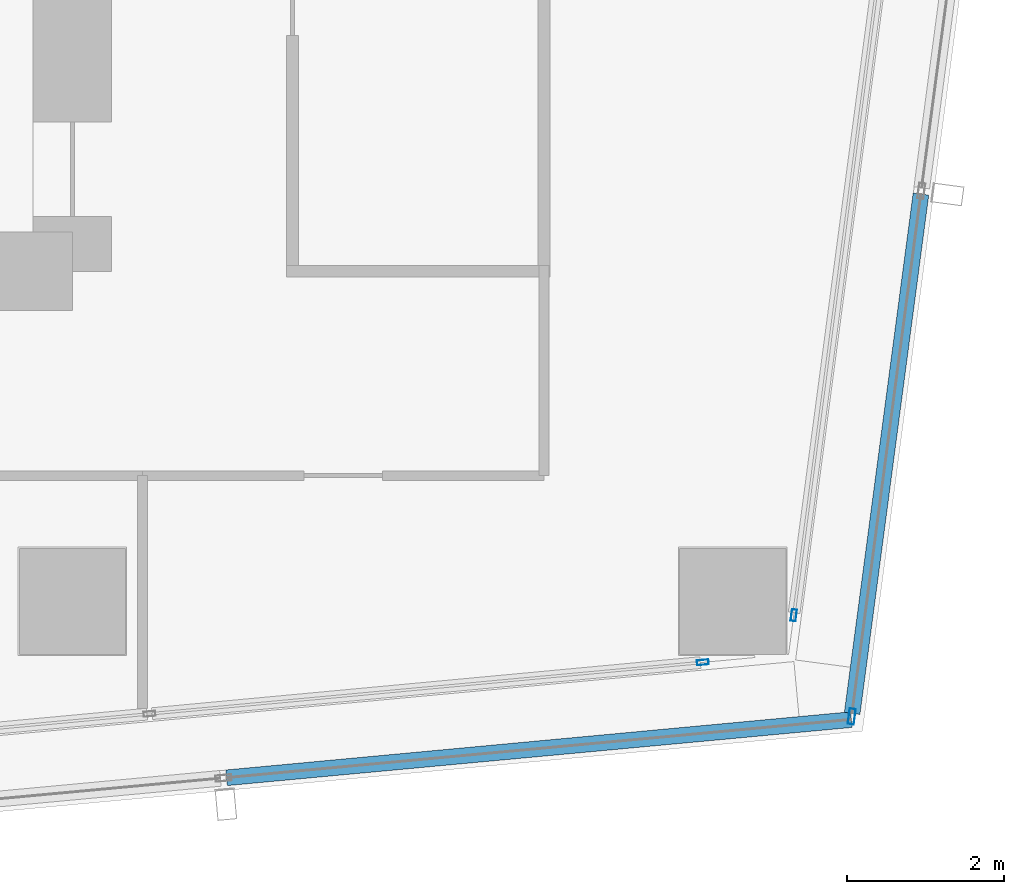
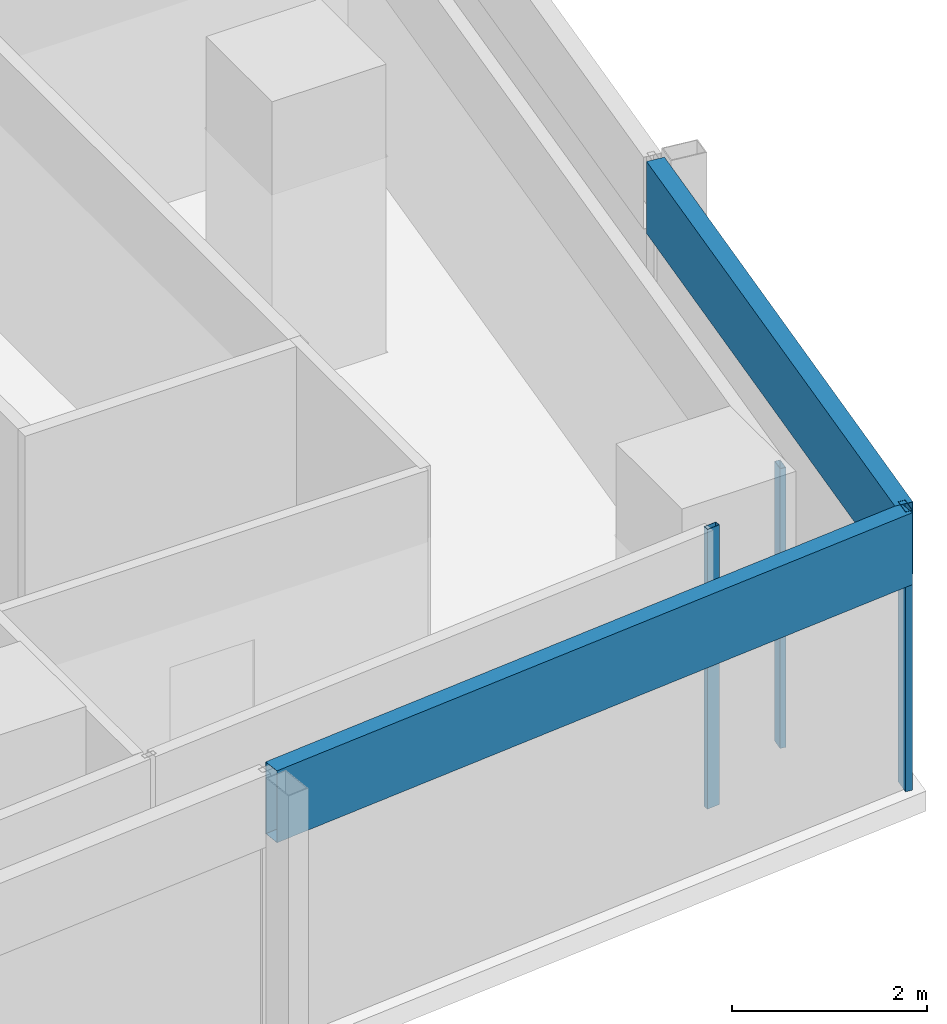
# One storey, part 12 of 38: 5 members, 4 elements without a shape of their own.
"""IFC4 building model written with IfcOpenShell, lengths in metres."""

import ifcopenshell
import ifcopenshell.guid

model = None  # the IFC model being written
_history = None  # IfcOwnerHistory: only IFC2X3 demands one
_inside = {}  # id of a spatial element -> (the spatial element, [elements in it])
_under = {}  # id of a project, library or spatial element -> (it, [spatial elements below it])
_declared = {}  # id of a project -> (the project, [libraries it declares])
_typed = {}  # id of a type object -> (the type object, [elements of that type])
_made_of = {}  # id of a material, layer set ... -> (it, [elements and type objects made of it])


def new_model(schema):
    """Start an empty IFC model of exactly this schema.

    Asked for "IFC4X3", IfcOpenShell would pick the latest addendum, in which some entities
    have other attributes; the version numbers below select the first issue.
    IFC2X3 requires an IfcOwnerHistory on every rooted entity: one is made here for all.
    """
    global model, _history
    if schema == "IFC4X3":
        model = ifcopenshell.file(schema_version=(4, 3, 0, 0))
    else:
        model = ifcopenshell.file(schema=schema)
    _inside.clear()
    _under.clear()
    _declared.clear()
    _typed.clear()
    _made_of.clear()
    _history = None
    if model.schema == "IFC2X3":
        org = make("IfcOrganization", Name="unknown")
        user = make(
            "IfcPersonAndOrganization",
            ThePerson=make("IfcPerson", FamilyName="unknown"),
            TheOrganization=org,
        )
        app = make(
            "IfcApplication",
            ApplicationDeveloper=org,
            Version="unknown",
            ApplicationFullName="unknown",
            ApplicationIdentifier="unknown",
        )
        _history = make(
            "IfcOwnerHistory",
            OwningUser=user,
            OwningApplication=app,
            ChangeAction="ADDED",
            CreationDate=0,
        )
    return model


def make(cls, **values):
    """One entity of the class cls with the attributes given. An attribute that is None is left unset."""
    return model.create_entity(
        cls, **{name: value for name, value in values.items() if value is not None}
    )


def rooted(cls, **values):
    """An entity with a GlobalId (a new one), such as an element, a storey or a relation."""
    return make(cls, GlobalId=ifcopenshell.guid.new(), OwnerHistory=_history, **values)


def si_unit(unit_type, name, prefix=None):
    """IfcSIUnit, for example si_unit("LENGTHUNIT", "METRE", prefix="MILLI")."""
    return make("IfcSIUnit", UnitType=unit_type, Prefix=prefix, Name=name)


def assignment(units):
    """IfcUnitAssignment: the units of a project."""
    return None if units is None else make("IfcUnitAssignment", Units=units)


def point(xyz):
    """IfcCartesianPoint."""
    return None if xyz is None else make("IfcCartesianPoint", Coordinates=xyz)


def direction(xyz):
    """IfcDirection."""
    return None if xyz is None else make("IfcDirection", DirectionRatios=xyz)


def frame(location, z_axis=None, x_axis=None):
    """IfcAxis2Placement3D, a coordinate frame: its origin and axes. An axis left out is left unset."""
    return make(
        "IfcAxis2Placement3D",
        Location=point(location),
        Axis=direction(z_axis),
        RefDirection=direction(x_axis),
    )


def frame_2d(location, x_axis=None):
    """IfcAxis2Placement2D, a coordinate frame in the plane: its origin and x axis."""
    return make(
        "IfcAxis2Placement2D", Location=point(location), RefDirection=direction(x_axis)
    )


def origin():
    """The frame at (0, 0, 0) with its axes left unset."""
    return frame((0.0, 0.0, 0.0))


def origin_2d():
    """The frame at (0, 0) in the plane with its x axis left unset."""
    return frame_2d((0.0, 0.0))


def place(relative_to, where):
    """IfcLocalPlacement: puts the frame where relative to a parent placement (None: the world)."""
    return make(
        "IfcLocalPlacement", PlacementRelTo=relative_to, RelativePlacement=where
    )


def context(
    kind, dimensions, precision=None, world=None, true_north=None, identifier=None
):
    """IfcGeometricRepresentationContext, for example the 3D "Model" context."""
    return make(
        "IfcGeometricRepresentationContext",
        ContextIdentifier=identifier,
        ContextType=kind,
        CoordinateSpaceDimension=dimensions,
        Precision=precision,
        WorldCoordinateSystem=world,
        TrueNorth=true_north,
    )


def subcontext(parent, identifier, kind, view, scale=None):
    """IfcGeometricRepresentationSubContext, for example "Body" below "Model"."""
    return make(
        "IfcGeometricRepresentationSubContext",
        ContextIdentifier=identifier,
        ContextType=kind,
        ParentContext=parent,
        TargetScale=scale,
        TargetView=view,
    )


def project(units=None, contexts=None):
    """IfcProject with its units and contexts."""
    return rooted(
        "IfcProject",
        Name="project",
        RepresentationContexts=contexts,
        UnitsInContext=assignment(units),
    )


def spatial(cls, under=None, at=None, **own):
    """A site, building, storey or space (cls), placed at a placement, below another one or the project."""
    s = rooted(cls, ObjectPlacement=at, **own)
    if under is not None:
        _under.setdefault(under.id(), (under, []))[1].append(s)
    return s


def profile(cls, at=None, kind="AREA", **sizes):
    """A parametric profile (cls). Its sizes go by their IFC names, for example OverallWidth=200.0."""
    return make(cls, ProfileType=kind, Position=at, **sizes)


def hollow_rectangle(**sizes):
    """IfcRectangleHollowProfileDef."""
    return profile("IfcRectangleHollowProfileDef", **sizes)


def extrude(swept, where, along, depth):
    """IfcExtrudedAreaSolid: the profile swept, set in the frame where, extruded along a direction by depth."""
    return make(
        "IfcExtrudedAreaSolid",
        SweptArea=swept,
        Position=where,
        ExtrudedDirection=direction(along),
        Depth=depth,
    )


def shape(context_of_items, identifier, shape_type, items):
    """IfcShapeRepresentation: the items that make up one representation, for example the "Body"."""
    return make(
        "IfcShapeRepresentation",
        ContextOfItems=context_of_items,
        RepresentationIdentifier=identifier,
        RepresentationType=shape_type,
        Items=items,
    )


def material(Name=None, Category=None):
    """IfcMaterial."""
    return make("IfcMaterial", Name=Name, Category=Category)


def material_profile(
    of_material, cross_section, Name=None, Category=None, Priority=None
):
    """IfcMaterialProfile: a cross section and its material."""
    return make(
        "IfcMaterialProfile",
        Name=Name,
        Material=of_material,
        Profile=cross_section,
        Priority=Priority,
        Category=Category,
    )


def profile_set(profiles, Name=None, composite=None):
    """IfcMaterialProfileSet."""
    return make(
        "IfcMaterialProfileSet",
        Name=Name,
        MaterialProfiles=profiles,
        CompositeProfile=composite,
    )


def made_of(thing, what):
    """Note that an element or type object is made of a material, layer set ...; save() writes the relation."""
    if what is not None:
        _made_of.setdefault(what.id(), (what, []))[1].append(thing)
    return thing


def type_object(cls, material=None, **own):
    """A type object (cls), such as IfcWallType, which elements share."""
    return made_of(rooted(cls, **own), material)


def element(
    cls,
    number,
    at=None,
    inside=None,
    cuts=None,
    type_object=None,
    material=None,
    context=None,
    identifier="Body",
    shape_type=None,
    held_by="IfcProductDefinitionShape",
    body=None,
    shapes=None,
    **own,
):
    """One element of the class cls, such as IfcWall. Its Tag is "e" and its number.

    at: its placement. inside: the storey or other place that contains it. cuts: it is an
    opening in that element (IfcRelVoidsElement). A single representation is given by context,
    identifier, shape_type and body (its items); several are given by shapes. held_by: the class
    of the entity that holds the representations. save() writes the other relations.
    """
    e = rooted(cls, Tag="e%d" % number, ObjectPlacement=at, **own)
    if body is not None:
        shapes = [shape(context, identifier, shape_type, body)]
    if shapes is not None:
        e.Representation = make(held_by, Representations=shapes)
    if inside is not None:
        _inside.setdefault(inside.id(), (inside, []))[1].append(e)
    if cuts is not None:
        rooted(
            "IfcRelVoidsElement", RelatingBuildingElement=cuts, RelatedOpeningElement=e
        )
    if type_object is not None:
        _typed.setdefault(type_object.id(), (type_object, []))[1].append(e)
    return made_of(e, material)


def aggregate(whole, parts):
    """IfcRelAggregates: a whole, such as a stair, and the parts it consists of."""
    return rooted("IfcRelAggregates", RelatingObject=whole, RelatedObjects=parts)


def save(model, path):
    """Write the relations noted so far, then the file.

    IfcRelAggregates (storeys below a building ...), IfcRelContainedInSpatialStructure (elements
    in a storey), IfcRelDefinesByType, IfcRelAssociatesMaterial and IfcRelDeclares: one each for
    every whole, place, type object, material and project.
    """
    for whole, parts in _under.values():
        aggregate(whole, parts)
    for where, things in _inside.values():
        rooted(
            "IfcRelContainedInSpatialStructure",
            RelatedElements=things,
            RelatingStructure=where,
        )
    for kind, things in _typed.values():
        rooted("IfcRelDefinesByType", RelatedObjects=things, RelatingType=kind)
    for what, things in _made_of.values():
        rooted("IfcRelAssociatesMaterial", RelatedObjects=things, RelatingMaterial=what)
    for by, libraries in _declared.values():
        rooted("IfcRelDeclares", RelatingContext=by, RelatedDefinitions=libraries)
    model.write(path)


model = new_model("IFC4")

# Units and contexts
model_context = context("Model", 3, precision=1e-05, world=origin(), true_north=direction((0.0, 1.0)))
body_context = subcontext(model_context, "Body", "Model", "MODEL_VIEW")
ifc_project = project(units=[si_unit("LENGTHUNIT", "METRE"), si_unit("AREAUNIT", "SQUARE_METRE"), si_unit("VOLUMEUNIT", "CUBIC_METRE"), si_unit("PLANEANGLEUNIT", "RADIAN"), si_unit("MASSUNIT", "GRAM", prefix="KILO")], contexts=[model_context])

# Site, building, storey
site_placement = place(None, origin())
site = spatial("IfcSite", under=ifc_project, at=site_placement, CompositionType="ELEMENT")
building_placement = place(site_placement, origin())
building = spatial("IfcBuilding", under=site, at=building_placement, Name="Rekha Terrace Tower", CompositionType="ELEMENT")
storey_placement = place(building_placement, frame((0.0, 0.0, 195.199951171875)))
storey = spatial("IfcBuildingStorey", under=building, at=storey_placement, Name="L49", CompositionType="ELEMENT", Elevation=195.199951171875)

# Curtain wall, member
ifc_material_1 = material(Name="Aluminium framing", Category="aluminium")
curtain_wall_type_1 = type_object("IfcCurtainWallType", Name="CW1 double skin inner glazing", PredefinedType="USERDEFINED", material=ifc_material_1)
curtain_wall_1_placement = place(storey_placement, origin())
curtain_wall_1 = element("IfcCurtainWall", 1, at=curtain_wall_1_placement, inside=storey, type_object=curtain_wall_type_1, Name="CW1 double skin inner glazing", ObjectType="DOUBLE SKIN INNER GLAZING", PredefinedType="USERDEFINED")
ifc_material_2 = material(Name="Aluminium mullion section", Category="aluminium")
ifc_material_profile_1 = material_profile(ifc_material_2, hollow_rectangle(XDim=0.06494140625, YDim=0.14990234375, WallThickness=0.00390625, at=origin_2d()), Name="AL RHS 65x150")
ifc_profile_set_1 = profile_set([ifc_material_profile_1], Name="Aluminium mullion section")
member_type_1 = type_object("IfcMemberType", Name="CW1 mullion RHS 65 x 150", PredefinedType="MULLION", material=ifc_profile_set_1)
member_1_placement = place(storey_placement, frame((58.419677734375, 16.025634765625, 0.0), z_axis=(0.0, 0.0, 1.0), x_axis=(-0.092708869564, 0.995693258742, 0.0)))
member_1 = element("IfcMember", 2, at=member_1_placement, type_object=member_type_1, Name="CW1 mullion 3", PredefinedType="MULLION", context=body_context, shape_type="SweptSolid", body=[
    extrude(hollow_rectangle(XDim=0.06494140625, YDim=0.14990234375, WallThickness=0.00390625, at=origin_2d()), origin(), (0.0, 0.0, 1.0), 3.5),
])
aggregate(curtain_wall_1, [member_1])

curtain_wall_2_placement = place(storey_placement, origin())
curtain_wall_2 = element("IfcCurtainWall", 3, at=curtain_wall_2_placement, inside=storey, type_object=curtain_wall_type_1, Name="CW1 double skin inner glazing", ObjectType="DOUBLE SKIN INNER GLAZING", PredefinedType="USERDEFINED")
member_2_placement = place(storey_placement, frame((59.576171875, 16.624755859375, 0.0), z_axis=(0.0, 0.0, 1.0), x_axis=(-0.991342203185, 0.131303603093, 0.0)))
member_2 = element("IfcMember", 4, at=member_2_placement, type_object=member_type_1, Name="CW1 mullion 1", PredefinedType="MULLION", context=body_context, shape_type="SweptSolid", body=[
    extrude(hollow_rectangle(XDim=0.06494140625, YDim=0.14990234375, WallThickness=0.00390625, at=origin_2d()), origin(), (0.0, 0.0, 1.0), 3.5),
])
aggregate(curtain_wall_2, [member_2])

curtain_wall_type_2 = type_object("IfcCurtainWallType", Name="CW2 double skin outer glazing", PredefinedType="USERDEFINED", material=ifc_material_1)
curtain_wall_3_placement = place(storey_placement, origin())
curtain_wall_3 = element("IfcCurtainWall", 5, at=curtain_wall_3_placement, inside=storey, type_object=curtain_wall_type_2, Name="CW2 double skin outer glazing", ObjectType="DOUBLE SKIN OUTER GLAZING", PredefinedType="USERDEFINED")
ifc_material_profile_2 = material_profile(ifc_material_2, hollow_rectangle(XDim=0.080078125, YDim=0.199951171875, WallThickness=0.00390625, at=origin_2d()), Name="AL RHS 80x200")
ifc_profile_set_2 = profile_set([ifc_material_profile_2], Name="Aluminium mullion section")
member_type_2 = type_object("IfcMemberType", Name="CW2 mullion RHS 80 x 200", PredefinedType="MULLION", material=ifc_profile_set_2)
member_3_placement = place(storey_placement, frame((60.3134765625, 15.337158203125, 0.0), z_axis=(0.0, 0.0, 1.0), x_axis=(-0.991342203187, 0.131303603075, 0.0)))
member_3 = element("IfcMember", 6, at=member_3_placement, type_object=member_type_2, Name="CW2 mullion 1", PredefinedType="MULLION", context=body_context, shape_type="SweptSolid", body=[
    extrude(hollow_rectangle(XDim=0.080078125, YDim=0.199951171875, WallThickness=0.00390625, at=origin_2d()), origin(), (0.0, 0.0, 1.0), 3.5),
])

curtain_wall_4_placement = place(storey_placement, origin())
curtain_wall_4 = element("IfcCurtainWall", 7, at=curtain_wall_4_placement, inside=storey, type_object=curtain_wall_type_2, Name="CW2 double skin outer glazing", ObjectType="DOUBLE SKIN OUTER GLAZING", PredefinedType="USERDEFINED")
ifc_material_3 = material(Name="Insulated aluminium spandrel box", Category="aluminium")
ifc_material_profile_3 = material_profile(ifc_material_3, hollow_rectangle(XDim=0.199951171875, YDim=0.89990234375, WallThickness=0.0029296875, at=origin_2d()), Name="AL SPANDREL BOX 200x900")
ifc_profile_set_3 = profile_set([ifc_material_profile_3], Name="Insulated aluminium spandrel box")
member_type_3 = type_object("IfcMemberType", Name="CW2 spandrel transom 200 x 900", PredefinedType="USERDEFINED", material=ifc_profile_set_3)
member_4_placement = place(storey_placement, frame((52.36181640625, 14.5576171875, 3.050048828125), z_axis=(0.99569478362, 0.092692490917, 0.0), x_axis=(-0.092692490917, 0.99569478362, 0.0)))
member_4 = element("IfcMember", 8, at=member_4_placement, type_object=member_type_3, Name="CW2 spandrel transom 2", ObjectType="TRANSOM", PredefinedType="USERDEFINED", context=body_context, shape_type="SweptSolid", body=[
    extrude(hollow_rectangle(XDim=0.199951171875, YDim=0.89990234375, WallThickness=0.0029296875, at=origin_2d()), origin(), (0.0, 0.0, 1.0), 7.980712890625),
])
aggregate(curtain_wall_4, [member_4])

# Member
member_5_placement = place(storey_placement, frame((60.318603515625, 15.376708984375, 3.050048828125), z_axis=(0.131318864981, 0.991340181623, 0.0), x_axis=(-0.991340181623, 0.131318864981, 0.0)))
member_5 = element("IfcMember", 9, at=member_5_placement, type_object=member_type_3, Name="CW2 spandrel transom 1", ObjectType="TRANSOM", PredefinedType="USERDEFINED", context=body_context, shape_type="SweptSolid", body=[
    extrude(hollow_rectangle(XDim=0.199951171875, YDim=0.89990234375, WallThickness=0.0029296875, at=origin_2d()), origin(), (0.0, 0.0, 1.0), 6.6630859375),
])

aggregate(curtain_wall_3, [member_3, member_5])

save(model, "model.ifc")
